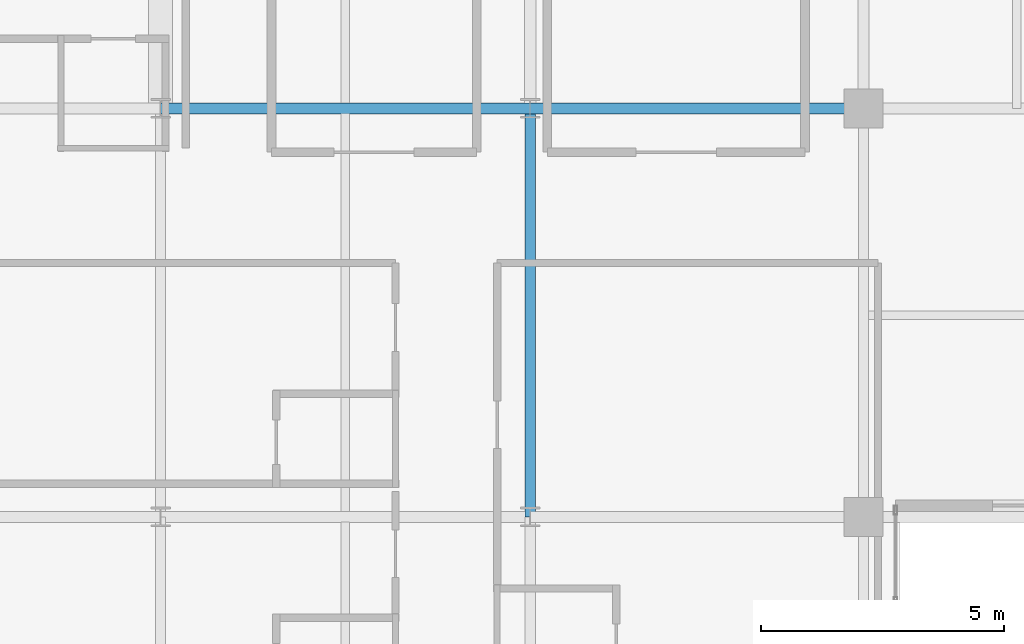
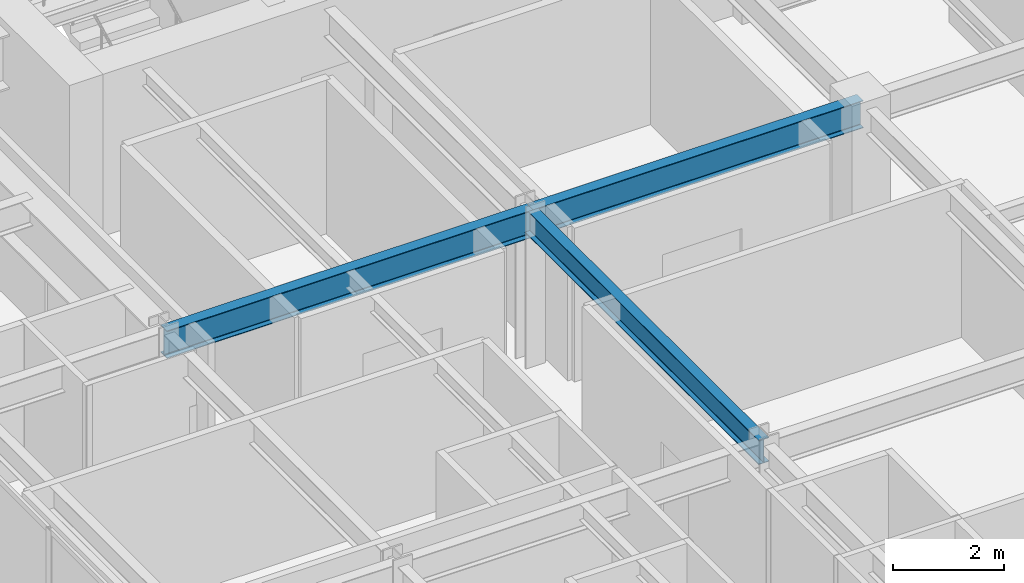
# One storey, part 10 of 24: 3 beams.
"""IFC4 building model written with IfcOpenShell, lengths in metres."""

import ifcopenshell
import ifcopenshell.guid

model = None  # the IFC model being written
_history = None  # IfcOwnerHistory: only IFC2X3 demands one
_inside = {}  # id of a spatial element -> (the spatial element, [elements in it])
_under = {}  # id of a project, library or spatial element -> (it, [spatial elements below it])
_declared = {}  # id of a project -> (the project, [libraries it declares])
_typed = {}  # id of a type object -> (the type object, [elements of that type])
_made_of = {}  # id of a material, layer set ... -> (it, [elements and type objects made of it])


def new_model(schema):
    """Start an empty IFC model of exactly this schema.

    Asked for "IFC4X3", IfcOpenShell would pick the latest addendum, in which some entities
    have other attributes; the version numbers below select the first issue.
    IFC2X3 requires an IfcOwnerHistory on every rooted entity: one is made here for all.
    """
    global model, _history
    if schema == "IFC4X3":
        model = ifcopenshell.file(schema_version=(4, 3, 0, 0))
    else:
        model = ifcopenshell.file(schema=schema)
    _inside.clear()
    _under.clear()
    _declared.clear()
    _typed.clear()
    _made_of.clear()
    _history = None
    if model.schema == "IFC2X3":
        org = make("IfcOrganization", Name="unknown")
        user = make(
            "IfcPersonAndOrganization",
            ThePerson=make("IfcPerson", FamilyName="unknown"),
            TheOrganization=org,
        )
        app = make(
            "IfcApplication",
            ApplicationDeveloper=org,
            Version="unknown",
            ApplicationFullName="unknown",
            ApplicationIdentifier="unknown",
        )
        _history = make(
            "IfcOwnerHistory",
            OwningUser=user,
            OwningApplication=app,
            ChangeAction="ADDED",
            CreationDate=0,
        )
    return model


def make(cls, **values):
    """One entity of the class cls with the attributes given. An attribute that is None is left unset."""
    return model.create_entity(
        cls, **{name: value for name, value in values.items() if value is not None}
    )


def rooted(cls, **values):
    """An entity with a GlobalId (a new one), such as an element, a storey or a relation."""
    return make(cls, GlobalId=ifcopenshell.guid.new(), OwnerHistory=_history, **values)


def si_unit(unit_type, name, prefix=None):
    """IfcSIUnit, for example si_unit("LENGTHUNIT", "METRE", prefix="MILLI")."""
    return make("IfcSIUnit", UnitType=unit_type, Prefix=prefix, Name=name)


def assignment(units):
    """IfcUnitAssignment: the units of a project."""
    return None if units is None else make("IfcUnitAssignment", Units=units)


def point(xyz):
    """IfcCartesianPoint."""
    return None if xyz is None else make("IfcCartesianPoint", Coordinates=xyz)


def direction(xyz):
    """IfcDirection."""
    return None if xyz is None else make("IfcDirection", DirectionRatios=xyz)


def frame(location, z_axis=None, x_axis=None):
    """IfcAxis2Placement3D, a coordinate frame: its origin and axes. An axis left out is left unset."""
    return make(
        "IfcAxis2Placement3D",
        Location=point(location),
        Axis=direction(z_axis),
        RefDirection=direction(x_axis),
    )


def frame_2d(location, x_axis=None):
    """IfcAxis2Placement2D, a coordinate frame in the plane: its origin and x axis."""
    return make(
        "IfcAxis2Placement2D", Location=point(location), RefDirection=direction(x_axis)
    )


def origin():
    """The frame at (0, 0, 0) with its axes left unset."""
    return frame((0.0, 0.0, 0.0))


def origin_2d():
    """The frame at (0, 0) in the plane with its x axis left unset."""
    return frame_2d((0.0, 0.0))


def place(relative_to, where):
    """IfcLocalPlacement: puts the frame where relative to a parent placement (None: the world)."""
    return make(
        "IfcLocalPlacement", PlacementRelTo=relative_to, RelativePlacement=where
    )


def context(
    kind, dimensions, precision=None, world=None, true_north=None, identifier=None
):
    """IfcGeometricRepresentationContext, for example the 3D "Model" context."""
    return make(
        "IfcGeometricRepresentationContext",
        ContextIdentifier=identifier,
        ContextType=kind,
        CoordinateSpaceDimension=dimensions,
        Precision=precision,
        WorldCoordinateSystem=world,
        TrueNorth=true_north,
    )


def subcontext(parent, identifier, kind, view, scale=None):
    """IfcGeometricRepresentationSubContext, for example "Body" below "Model"."""
    return make(
        "IfcGeometricRepresentationSubContext",
        ContextIdentifier=identifier,
        ContextType=kind,
        ParentContext=parent,
        TargetScale=scale,
        TargetView=view,
    )


def project(units=None, contexts=None):
    """IfcProject with its units and contexts."""
    return rooted(
        "IfcProject",
        Name="project",
        RepresentationContexts=contexts,
        UnitsInContext=assignment(units),
    )


def spatial(cls, under=None, at=None, **own):
    """A site, building, storey or space (cls), placed at a placement, below another one or the project."""
    s = rooted(cls, ObjectPlacement=at, **own)
    if under is not None:
        _under.setdefault(under.id(), (under, []))[1].append(s)
    return s


def profile(cls, at=None, kind="AREA", **sizes):
    """A parametric profile (cls). Its sizes go by their IFC names, for example OverallWidth=200.0."""
    return make(cls, ProfileType=kind, Position=at, **sizes)


def i_section(**sizes):
    """IfcIShapeProfileDef."""
    return profile("IfcIShapeProfileDef", **sizes)


def extrude(swept, where, along, depth):
    """IfcExtrudedAreaSolid: the profile swept, set in the frame where, extruded along a direction by depth."""
    return make(
        "IfcExtrudedAreaSolid",
        SweptArea=swept,
        Position=where,
        ExtrudedDirection=direction(along),
        Depth=depth,
    )


def shape(context_of_items, identifier, shape_type, items):
    """IfcShapeRepresentation: the items that make up one representation, for example the "Body"."""
    return make(
        "IfcShapeRepresentation",
        ContextOfItems=context_of_items,
        RepresentationIdentifier=identifier,
        RepresentationType=shape_type,
        Items=items,
    )


def source(mapping_origin, context_of_items, identifier, shape_type, items):
    """IfcRepresentationMap: a shape defined once, which mapped items show again and again."""
    return make(
        "IfcRepresentationMap",
        MappingOrigin=mapping_origin,
        MappedRepresentation=shape(context_of_items, identifier, shape_type, items),
    )


def transform(
    local_origin,
    x_axis=None,
    y_axis=None,
    z_axis=None,
    scale=None,
    scale2=None,
    scale3=None,
    uniform=True,
):
    """IfcCartesianTransformationOperator3D, or its non-uniform kind. x_axis, y_axis, z_axis: its Axis1, 2, 3."""
    if uniform:
        return make(
            "IfcCartesianTransformationOperator3D",
            Axis1=direction(x_axis),
            Axis2=direction(y_axis),
            LocalOrigin=point(local_origin),
            Scale=scale,
            Axis3=direction(z_axis),
        )
    return make(
        "IfcCartesianTransformationOperator3DnonUniform",
        Axis1=direction(x_axis),
        Axis2=direction(y_axis),
        LocalOrigin=point(local_origin),
        Scale=scale,
        Axis3=direction(z_axis),
        Scale2=scale2,
        Scale3=scale3,
    )


def mapped(mapping_source, mapping_target):
    """IfcMappedItem: shows the shape of a source again, moved by a transform."""
    return make(
        "IfcMappedItem", MappingSource=mapping_source, MappingTarget=mapping_target
    )


def material(Name=None, Category=None):
    """IfcMaterial."""
    return make("IfcMaterial", Name=Name, Category=Category)


def material_profile(
    of_material, cross_section, Name=None, Category=None, Priority=None
):
    """IfcMaterialProfile: a cross section and its material."""
    return make(
        "IfcMaterialProfile",
        Name=Name,
        Material=of_material,
        Profile=cross_section,
        Priority=Priority,
        Category=Category,
    )


def profile_set(profiles, Name=None, composite=None):
    """IfcMaterialProfileSet."""
    return make(
        "IfcMaterialProfileSet",
        Name=Name,
        MaterialProfiles=profiles,
        CompositeProfile=composite,
    )


def made_of(thing, what):
    """Note that an element or type object is made of a material, layer set ...; save() writes the relation."""
    if what is not None:
        _made_of.setdefault(what.id(), (what, []))[1].append(thing)
    return thing


def type_object(cls, material=None, **own):
    """A type object (cls), such as IfcWallType, which elements share."""
    return made_of(rooted(cls, **own), material)


def type_shapes(of_type, sources):
    """Give a type object the sources (RepresentationMaps) that its elements show as mapped items."""
    of_type.RepresentationMaps = sources


def element(
    cls,
    number,
    at=None,
    inside=None,
    cuts=None,
    type_object=None,
    material=None,
    context=None,
    identifier="Body",
    shape_type=None,
    held_by="IfcProductDefinitionShape",
    body=None,
    shapes=None,
    **own,
):
    """One element of the class cls, such as IfcWall. Its Tag is "e" and its number.

    at: its placement. inside: the storey or other place that contains it. cuts: it is an
    opening in that element (IfcRelVoidsElement). A single representation is given by context,
    identifier, shape_type and body (its items); several are given by shapes. held_by: the class
    of the entity that holds the representations. save() writes the other relations.
    """
    e = rooted(cls, Tag="e%d" % number, ObjectPlacement=at, **own)
    if body is not None:
        shapes = [shape(context, identifier, shape_type, body)]
    if shapes is not None:
        e.Representation = make(held_by, Representations=shapes)
    if inside is not None:
        _inside.setdefault(inside.id(), (inside, []))[1].append(e)
    if cuts is not None:
        rooted(
            "IfcRelVoidsElement", RelatingBuildingElement=cuts, RelatedOpeningElement=e
        )
    if type_object is not None:
        _typed.setdefault(type_object.id(), (type_object, []))[1].append(e)
    return made_of(e, material)


def aggregate(whole, parts):
    """IfcRelAggregates: a whole, such as a stair, and the parts it consists of."""
    return rooted("IfcRelAggregates", RelatingObject=whole, RelatedObjects=parts)


def save(model, path):
    """Write the relations noted so far, then the file.

    IfcRelAggregates (storeys below a building ...), IfcRelContainedInSpatialStructure (elements
    in a storey), IfcRelDefinesByType, IfcRelAssociatesMaterial and IfcRelDeclares: one each for
    every whole, place, type object, material and project.
    """
    for whole, parts in _under.values():
        aggregate(whole, parts)
    for where, things in _inside.values():
        rooted(
            "IfcRelContainedInSpatialStructure",
            RelatedElements=things,
            RelatingStructure=where,
        )
    for kind, things in _typed.values():
        rooted("IfcRelDefinesByType", RelatedObjects=things, RelatingType=kind)
    for what, things in _made_of.values():
        rooted("IfcRelAssociatesMaterial", RelatedObjects=things, RelatingMaterial=what)
    for by, libraries in _declared.values():
        rooted("IfcRelDeclares", RelatingContext=by, RelatedDefinitions=libraries)
    model.write(path)


model = new_model("IFC4")

# Units and contexts
model_context = context("Model", 3, precision=1e-05, world=origin(), true_north=direction((0.0, 1.0)))
body_context = subcontext(model_context, "Body", "Model", "MODEL_VIEW")
ifc_project = project(units=[si_unit("LENGTHUNIT", "METRE"), si_unit("AREAUNIT", "SQUARE_METRE"), si_unit("VOLUMEUNIT", "CUBIC_METRE"), si_unit("PLANEANGLEUNIT", "RADIAN"), si_unit("MASSUNIT", "GRAM", prefix="KILO")], contexts=[model_context])

# Site, building, storey
site_placement = place(None, origin())
site = spatial("IfcSite", under=ifc_project, at=site_placement, CompositionType="ELEMENT")
building_placement = place(site_placement, origin())
building = spatial("IfcBuilding", under=site, at=building_placement, Name="Tolvann Quenvar Hotel", CompositionType="ELEMENT")
storey_placement = place(building_placement, frame((0.0, 0.0, 157.699951171875)))
storey = spatial("IfcBuildingStorey", under=building, at=storey_placement, Name="L41", CompositionType="ELEMENT", Elevation=157.699951171875)

# Beams
ifc_material = material(Name="Steel Grade 350", Category="steel")
ifc_material_profile_1 = material_profile(ifc_material, i_section(OverallWidth=0.208984375, OverallDepth=0.532958984375, WebThickness=0.01025390625, FlangeThickness=0.015625, FilletRadius=0.013916015625, at=origin_2d()), Name="530UB92")
ifc_profile_set_1 = profile_set([ifc_material_profile_1], Name="Steel Grade 350")
beam_type_1 = type_object("IfcBeamType", Name="BM_GIRD_530UB92", PredefinedType="BEAM", material=ifc_profile_set_1)
shared_shape_1 = source(origin(), body_context, "Body", "SweptSolid", [
    extrude(i_section(OverallWidth=0.208984375, OverallDepth=0.532958984375, WebThickness=0.01025390625, FlangeThickness=0.015625, FilletRadius=0.013916015625, at=origin_2d()), origin(), (0.0, 0.0, 1.0), 8.39990234375),
])
type_shapes(beam_type_1, [shared_shape_1])
beam_1_placement = place(storey_placement, frame((15.199951171875, 16.0, 3.103515625), z_axis=(0.0, 1.0, 0.0), x_axis=(-1.0, 0.0, 0.0)))
element("IfcBeam", 1, at=beam_1_placement, inside=storey, type_object=beam_type_1, Name="BM-L41-NS-D4-D5", PredefinedType="BEAM", context=body_context, shape_type="MappedRepresentation", body=[
    mapped(shared_shape_1, transform((0.0, 0.0, 0.0), x_axis=(1.0, 0.0, 0.0), y_axis=(0.0, 1.0, 0.0), z_axis=(0.0, 0.0, 1.0), scale=1.0)),
])
ifc_material_profile_2 = material_profile(ifc_material, i_section(OverallWidth=0.22802734375, OverallDepth=0.60205078125, WebThickness=0.010498046875, FlangeThickness=0.014892578125, FilletRadius=0.013916015625, at=origin_2d()), Name="610UB101")
ifc_profile_set_2 = profile_set([ifc_material_profile_2], Name="Steel Grade 350")
beam_type_2 = type_object("IfcBeamType", Name="BM_GIRD_610UB101", PredefinedType="BEAM", material=ifc_profile_set_2)
shared_shape_2 = source(origin(), body_context, "Body", "SweptSolid", [
    extrude(i_section(OverallWidth=0.22802734375, OverallDepth=0.60205078125, WebThickness=0.010498046875, FlangeThickness=0.014892578125, FilletRadius=0.013916015625, at=origin_2d()), origin(), (0.0, 0.0, 1.0), 7.599853515625),
])
beam_2_placement = place(storey_placement, frame((7.60009765625, 24.39990234375, 3.069091796875), z_axis=(1.0, 0.0, 0.0), x_axis=(0.0, 1.0, 0.0)))
element("IfcBeam", 2, at=beam_2_placement, inside=storey, type_object=beam_type_2, Name="BM-L41-EW-5-C5-D5", PredefinedType="BEAM", context=body_context, shape_type="MappedRepresentation", body=[
    mapped(shared_shape_2, transform((0.0, 0.0, 0.0), x_axis=(1.0, 0.0, 0.0), y_axis=(0.0, 1.0, 0.0), z_axis=(0.0, 0.0, 1.0), scale=1.0)),
])
shared_shape_3 = source(origin(), body_context, "Body", "SweptSolid", [
    extrude(i_section(OverallWidth=0.22802734375, OverallDepth=0.60205078125, WebThickness=0.010498046875, FlangeThickness=0.014892578125, FilletRadius=0.013916015625, at=origin_2d()), origin(), (0.0, 0.0, 1.0), 6.85009765625),
])
type_shapes(beam_type_2, [shared_shape_2, shared_shape_3])
beam_3_placement = place(storey_placement, frame((15.199951171875, 24.39990234375, 3.069091796875), z_axis=(1.0, 0.0, 0.0), x_axis=(0.0, 1.0, 0.0)))
element("IfcBeam", 3, at=beam_3_placement, inside=storey, type_object=beam_type_2, Name="BM-L41-EW-5-D5-E5", PredefinedType="BEAM", context=body_context, shape_type="MappedRepresentation", body=[
    mapped(shared_shape_3, transform((0.0, 0.0, 0.0), x_axis=(1.0, 0.0, 0.0), y_axis=(0.0, 1.0, 0.0), z_axis=(0.0, 0.0, 1.0), scale=1.0)),
])

save(model, "model.ifc")
